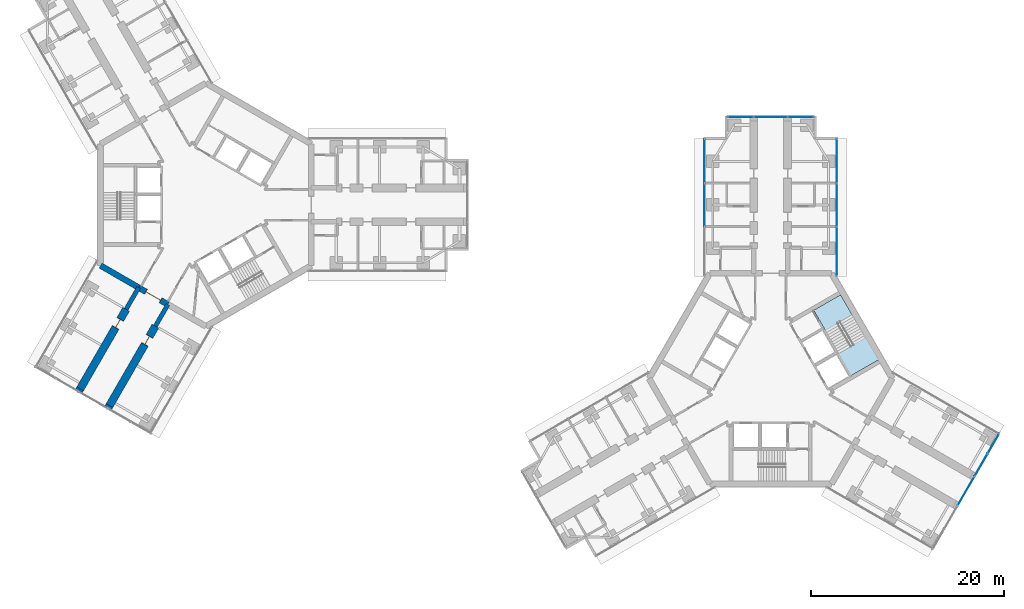
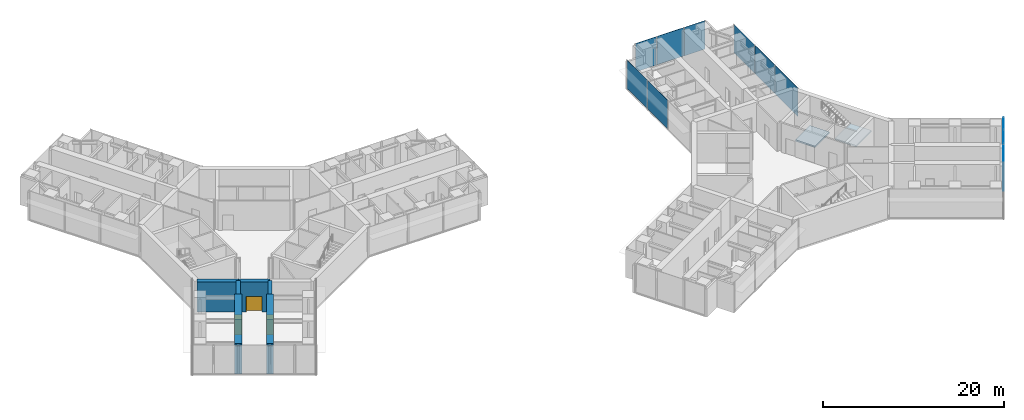
# One storey, part 14 of 22: 11 plates, 8 walls, 3 doors, 2 slabs, 3 openings, 5 elements without a shape of their own.
"""IFC4 building model written with IfcOpenShell, lengths in metres."""

from ifc_helpers import new_model, si_unit, direction, frame, frame_2d, origin, origin_2d, place, context, subcontext, project, spatial, polyline, rectangle, outline, extrude, material, layer, layer_set, type_object, element, fill, aggregate, save


model = new_model("IFC4")

# Units and contexts
model_context = context("Model", 3, precision=1e-05, world=origin(), true_north=direction((0.0, 1.0)))
body_context = subcontext(model_context, "Body", "Model", "MODEL_VIEW")
ifc_project = project(units=[si_unit("LENGTHUNIT", "METRE"), si_unit("AREAUNIT", "SQUARE_METRE"), si_unit("VOLUMEUNIT", "CUBIC_METRE"), si_unit("PLANEANGLEUNIT", "RADIAN"), si_unit("MASSUNIT", "GRAM", prefix="KILO")], contexts=[model_context])

# Site, building, storey
site_placement = place(None, origin())
site = spatial("IfcSite", under=ifc_project, at=site_placement, CompositionType="ELEMENT")
building_placement = place(site_placement, origin())
building = spatial("IfcBuilding", under=site, at=building_placement, Name="Upepo Twin Towers", CompositionType="ELEMENT")
storey_placement = place(building_placement, frame((0.0, 0.0, 121.5)))
storey = spatial("IfcBuildingStorey", under=building, at=storey_placement, Name="L29", CompositionType="ELEMENT", Elevation=121.5)

# Curtain wall, plates
ifc_material_1 = material(Name="Aluminium and fritted glass", Category="aluminium")
curtain_wall_type = type_object("IfcCurtainWallType", Name="Tower curtain wall TW2, fritted glass", PredefinedType="NOTDEFINED", material=ifc_material_1)
curtain_wall_1_placement = place(storey_placement, origin())
curtain_wall_1 = element("IfcCurtainWall", 1, at=curtain_wall_1_placement, inside=storey, type_object=curtain_wall_type, Name="T2 L29 wing A flank L curtain wall", PredefinedType="NOTDEFINED")
ifc_material_2 = material(Name="Ceramic-fritted laminated glass", Category="glass")
ifc_layer_1 = layer(ifc_material_2, 0.031982421875)
ifc_layer_set_1 = layer_set([ifc_layer_1], Name="Fritted glass panel, 40 per cent dot frit, 32 mm double glazed")
plate_type_1 = type_object("IfcPlateType", Name="Fritted glass panel, 40 per cent dot frit, 32 mm double glazed", PredefinedType="CURTAIN_PANEL", material=ifc_layer_set_1)
plate_1_placement = place(storey_placement, frame((51.64990234375, 0.0, 0.14990234375), z_axis=(0.0, 0.0, 1.0), x_axis=(0.0, 1.0, 0.0)))
plate_1 = element("IfcPlate", 2, at=plate_1_placement, type_object=plate_type_1, Name="T2 L29 wing A flank L curtain wall panel 2", PredefinedType="CURTAIN_PANEL", context=body_context, shape_type="SweptSolid", body=[
    extrude(rectangle(XDim=4.43505859375, YDim=0.031982421875, at=origin_2d()), origin(), (0.0, 0.0, 1.0), 3.85009765625),
])
plate_2_placement = place(storey_placement, frame((51.64990234375, 4.53369140625, 0.14990234375), z_axis=(0.0, 0.0, 1.0), x_axis=(0.0, 1.0, 0.0)))
plate_2 = element("IfcPlate", 3, at=plate_2_placement, type_object=plate_type_1, Name="T2 L29 wing A flank L curtain wall panel 3", PredefinedType="CURTAIN_PANEL", context=body_context, shape_type="SweptSolid", body=[
    extrude(rectangle(XDim=4.50244140625, YDim=0.031982421875, at=origin_2d()), origin(), (0.0, 0.0, 1.0), 3.85009765625),
])
aggregate(curtain_wall_1, [plate_1, plate_2])

curtain_wall_2_placement = place(storey_placement, origin())
curtain_wall_2 = element("IfcCurtainWall", 4, at=curtain_wall_2_placement, inside=storey, type_object=curtain_wall_type, Name="T2 L29 wing A flank R curtain wall", PredefinedType="NOTDEFINED")
plate_3_placement = place(storey_placement, frame((65.35009765625, 4.53369140625, 0.14990234375), z_axis=(0.0, 0.0, 1.0), x_axis=(0.0, -1.0, 0.0)))
plate_3 = element("IfcPlate", 5, at=plate_3_placement, type_object=plate_type_1, Name="T2 L29 wing A flank R curtain wall panel 1", PredefinedType="CURTAIN_PANEL", context=body_context, shape_type="SweptSolid", body=[
    extrude(rectangle(XDim=4.50244140625, YDim=0.031982421875, at=origin_2d()), origin(), (0.0, 0.0, 1.0), 3.85009765625),
])
plate_4_placement = place(storey_placement, frame((65.35009765625, 0.0, 0.14990234375), z_axis=(0.0, 0.0, 1.0), x_axis=(0.0, -1.0, 0.0)))
plate_4 = element("IfcPlate", 6, at=plate_4_placement, type_object=plate_type_1, Name="T2 L29 wing A flank R curtain wall panel 2", PredefinedType="CURTAIN_PANEL", context=body_context, shape_type="SweptSolid", body=[
    extrude(rectangle(XDim=4.43505859375, YDim=0.031982421875, at=origin_2d()), origin(), (0.0, 0.0, 1.0), 3.85009765625),
])
plate_5_placement = place(storey_placement, frame((65.35009765625, -4.815185546875, 0.14990234375), z_axis=(0.0, 0.0, 1.0), x_axis=(0.0, -1.0, 0.0)))
plate_5 = element("IfcPlate", 7, at=plate_5_placement, type_object=plate_type_1, Name="T2 L29 wing A flank R curtain wall panel 3", PredefinedType="CURTAIN_PANEL", context=body_context, shape_type="SweptSolid", body=[
    extrude(rectangle(XDim=5.0654296875, YDim=0.031982421875, at=origin_2d()), origin(), (0.0, 0.0, 1.0), 3.85009765625),
])
aggregate(curtain_wall_2, [plate_3, plate_4, plate_5])

# Curtain wall, plate
curtain_wall_3_placement = place(storey_placement, origin())
curtain_wall_3 = element("IfcCurtainWall", 8, at=curtain_wall_3_placement, inside=storey, type_object=curtain_wall_type, Name="T2 L29 wing A nose curtain wall", PredefinedType="NOTDEFINED")
plate_6_placement = place(storey_placement, frame((58.5, 9.10009765625, 0.14990234375), z_axis=(0.0, 0.0, 1.0), x_axis=(-1.0, 0.0, 0.0)))
plate_6 = element("IfcPlate", 9, at=plate_6_placement, type_object=plate_type_1, Name="T2 L29 wing A nose curtain wall panel 2", PredefinedType="CURTAIN_PANEL", context=body_context, shape_type="SweptSolid", body=[
    extrude(rectangle(XDim=3.43505859375, YDim=0.031982421875, at=origin_2d()), origin(), (0.0, 0.0, 1.0), 3.85009765625),
])

# Curtain wall, plates
curtain_wall_4_placement = place(storey_placement, origin())
curtain_wall_4 = element("IfcCurtainWall", 10, at=curtain_wall_4_placement, inside=storey, type_object=curtain_wall_type, Name="T2 L29 wing C nose curtain wall", PredefinedType="NOTDEFINED")
plate_7_placement = place(storey_placement, frame((78.7216796875, -29.675048828125, 0.14990234375), z_axis=(0.0, 0.0, 1.0), x_axis=(0.499999972355, 0.866025419745, 0.0)))
plate_7 = element("IfcPlate", 11, at=plate_7_placement, type_object=plate_type_1, Name="T2 L29 wing C nose curtain wall panel 3", PredefinedType="CURTAIN_PANEL", context=body_context, shape_type="SweptSolid", body=[
    extrude(rectangle(XDim=3.43505859375, YDim=0.031982421875, at=origin_2d()), origin(), (0.0, 0.0, 1.0), 3.85009765625),
])
plate_8_placement = place(storey_placement, frame((80.2841796875, -26.96875, 0.14990234375), z_axis=(0.0, 0.0, 1.0), x_axis=(0.499999972355, 0.866025419745, 0.0)))
plate_8 = element("IfcPlate", 12, at=plate_8_placement, type_object=plate_type_1, Name="T2 L29 wing C nose curtain wall panel 4", PredefinedType="CURTAIN_PANEL", context=body_context, shape_type="SweptSolid", body=[
    extrude(rectangle(XDim=2.68505859375, YDim=0.031982421875, at=origin_2d()), origin(), (0.0, 0.0, 1.0), 3.85009765625),
])

# Plate
ifc_material_3 = material(Name="Clear laminated glass in opening sash", Category="glass")
ifc_layer_2 = layer(ifc_material_3, 0.031982421875)
ifc_layer_set_2 = layer_set([ifc_layer_2], Name="Operable glass panel, 32 mm double glazed")
plate_type_2 = type_object("IfcPlateType", Name="Operable glass panel, 32 mm double glazed", PredefinedType="CURTAIN_PANEL", material=ifc_layer_set_2)
plate_9_placement = place(storey_placement, frame((61.608642578125, 9.10009765625, 0.14990234375), z_axis=(0.0, 0.0, 1.0), x_axis=(-1.0, 0.0, 0.0)))
plate_9 = element("IfcPlate", 13, at=plate_9_placement, type_object=plate_type_2, Name="T2 L29 wing A nose curtain wall panel 1", PredefinedType="CURTAIN_PANEL", context=body_context, shape_type="SweptSolid", body=[
    extrude(rectangle(XDim=2.652587890625, YDim=0.031982421875, at=origin_2d()), origin(), (0.0, 0.0, 1.0), 3.85009765625),
])

plate_10_placement = place(storey_placement, frame((55.391357421875, 9.10009765625, 0.14990234375), z_axis=(0.0, 0.0, 1.0), x_axis=(-1.0, 0.0, 0.0)))
plate_10 = element("IfcPlate", 14, at=plate_10_placement, type_object=plate_type_2, Name="T2 L29 wing A nose curtain wall panel 3", PredefinedType="CURTAIN_PANEL", context=body_context, shape_type="SweptSolid", body=[
    extrude(rectangle(XDim=2.652587890625, YDim=0.031982421875, at=origin_2d()), origin(), (0.0, 0.0, 1.0), 3.85009765625),
])

aggregate(curtain_wall_3, [plate_9, plate_6, plate_10])

plate_11_placement = place(storey_placement, frame((81.576171875, -24.73095703125, 0.14990234375), z_axis=(0.0, 0.0, 1.0), x_axis=(0.499999972355, 0.866025419745, 0.0)))
plate_11 = element("IfcPlate", 15, at=plate_11_placement, type_object=plate_type_2, Name="T2 L29 wing C nose curtain wall panel 5", PredefinedType="CURTAIN_PANEL", context=body_context, shape_type="SweptSolid", body=[
    extrude(rectangle(XDim=2.3525390625, YDim=0.031982421875, at=origin_2d()), origin(), (0.0, 0.0, 1.0), 3.85009765625),
])

aggregate(curtain_wall_4, [plate_7, plate_8, plate_11])

# Stair, slabs
ifc_material_4 = material(Name="Concrete C40/50", Category="concrete")
stair_type = type_object("IfcStairType", Name="Core stair, two flights", PredefinedType="HALF_TURN_STAIR", material=ifc_material_4)
stair_placement = place(storey_placement, origin())
stair = element("IfcStair", 16, at=stair_placement, inside=storey, type_object=stair_type, Name="T2 stair S2 L29", PredefinedType="HALF_TURN_STAIR")
ifc_material_5 = material(Name="Concrete C40/50", Category="concrete")
ifc_layer_3 = layer(ifc_material_5, 0.199951171875)
ifc_layer_set_3 = layer_set([ifc_layer_3], Name="Concrete C40/50")
slab_type = type_object("IfcSlabType", Name="Stair landing 200 RC", PredefinedType="LANDING", material=ifc_layer_set_3)
slab_1_placement = place(storey_placement, frame((0.0, 0.0, -0.199951171875)))
slab_1 = element("IfcSlab", 17, at=slab_1_placement, type_object=slab_type, Name="Stair S2 landing 1", PredefinedType="LANDING", context=body_context, shape_type="SweptSolid", body=[
    extrude(outline(polyline([(64.198486328125, -13.0703125), (66.97705078125, -11.466064453125), (65.737060546875, -9.318359375), (62.95849609375, -10.922607421875), (64.198486328125, -13.0703125)])), origin(), (0.0, 0.0, 1.0), 0.199951171875),
])
slab_2_placement = place(storey_placement, frame((0.0, 0.0, 1.800048828125)))
slab_2 = element("IfcSlab", 18, at=slab_2_placement, type_object=slab_type, Name="Stair S2 landing 2", PredefinedType="LANDING", context=body_context, shape_type="SweptSolid", body=[
    extrude(outline(polyline([(66.77197265625, -17.7275390625), (69.7236328125, -16.0234375), (68.36376953125, -13.667724609375), (65.411865234375, -15.371826171875), (66.77197265625, -17.7275390625)])), origin(), (0.0, 0.0, 1.0), 0.199951171875),
])
aggregate(stair, [slab_1, slab_2])

# Walls
ifc_material_6 = material(Name="Dense concrete blockwork", Category="masonry")
ifc_layer_4 = layer(ifc_material_6, 0.800048828125)
ifc_layer_set_4 = layer_set([ifc_layer_4], Name="Buttress closer 800, blockwork with fire-stopping to the curtain wall")
wall_type_1 = type_object("IfcWallType", Name="Buttress closer 800, blockwork with fire-stopping to the curtain wall", PredefinedType="PARTITIONING", material=ifc_layer_set_4)
for number, where, z_axis, x_axis, name in (
    (19, (-9.984375, -20.793701171875, 0.0), (0.0, 0.0, 1.0), (-0.500342721131, -0.865827443207, 0.0), "T1 L29 wing C buttress closer L"),
    (20, (-13.015625, -19.043701171875, 0.0), (0.0, 0.0, 1.0), (-0.500342721131, -0.865827443207, 0.0), "T1 L29 wing C buttress closer R"),
):
    element("IfcWall", number, at=place(storey_placement, frame(where, z_axis=z_axis, x_axis=x_axis)), inside=storey, type_object=wall_type_1, Name=name, PredefinedType="PARTITIONING", context=body_context, shape_type="SweptSolid", body=[
        extrude(rectangle(XDim=0.249755859375, YDim=0.800048828125, at=frame_2d((0.125, 0.0))), origin(), (0.0, 0.0, 1.0), 3.800048828125),
    ])
ifc_material_7 = material(Name="Concrete C60/75", Category="concrete")
ifc_layer_5 = layer(ifc_material_7, 0.449951171875)
ifc_layer_set_5 = layer_set([ifc_layer_5], Name="Concrete C60/75")
wall_type_2 = type_object("IfcWallType", Name="Buttress wall 450 RC", PredefinedType="SHEAR", material=ifc_layer_set_5)
for number, where, z_axis, x_axis, name in (
    (21, (-3.938720703125, -10.32177734375, 0.0), (0.0, 0.0, 1.0), (-0.499918158782, -0.866072649678, 0.0), "T1 wing C buttress wall L"),
    (22, (-6.9697265625, -8.57177734375, 0.0), (0.0, 0.0, 1.0), (-0.499988811324, -0.866031863473, 0.0), "T1 wing C buttress wall R"),
):
    element("IfcWall", number, at=place(storey_placement, frame(where, z_axis=z_axis, x_axis=x_axis)), inside=storey, type_object=wall_type_2, Name=name, PredefinedType="SHEAR", context=body_context, shape_type="SweptSolid", body=[
        extrude(rectangle(XDim=2.591796875, YDim=0.449951171875, at=frame_2d((1.2958984375, 0.0))), origin(), (0.0, 0.0, 1.0), 4.0),
    ])

# Wall, opening, door
ifc_material_8 = material(Name="Concrete C60/75", Category="concrete")
ifc_layer_6 = layer(ifc_material_8, 0.800048828125)
ifc_layer_set_6 = layer_set([ifc_layer_6], Name="Concrete C60/75")
wall_type_3 = type_object("IfcWallType", Name="Buttress wall 800 RC", PredefinedType="SHEAR", material=ifc_layer_set_6)
wall_1_placement = place(storey_placement, frame((-5.234375, -12.56640625, 0.0), z_axis=(0.0, 0.0, 1.0), x_axis=(-0.499997557548, -0.86602681393, 0.0)))
wall_1 = element("IfcWall", 23, at=wall_1_placement, inside=storey, type_object=wall_type_3, Name="T1 wing C buttress wall L part 2", PredefinedType="SHEAR", context=body_context, shape_type="SweptSolid", body=[
    extrude(rectangle(XDim=9.5, YDim=0.800048828125, at=frame_2d((4.75, 0.0))), origin(), (0.0, 0.0, 1.0), 4.0),
])
opening_1_placement = place(wall_1_placement, frame((1.199951171875, 0.0, 0.0)))
opening_1 = element("IfcOpeningElement", 24, at=opening_1_placement, cuts=wall_1, Name="Opening D1", PredefinedType="OPENING", context=body_context, shape_type="SweptSolid", body=[
    extrude(rectangle(XDim=1.0, YDim=2.10009765625, at=frame_2d((0.5, 1.050048828125))), frame((0.0, 0.409912109375, 0.0), z_axis=(0.0, -1.0, 0.0), x_axis=(1.0, 0.0, 0.0)), (0.0, 0.0, 1.0), 0.820068359375),
])
ifc_material_9 = material(Name="Timber doorset", Category="wood")
door_type_1 = type_object("IfcDoorType", Name="Room door 1000 FD30", OperationType="SINGLE_SWING_LEFT", PredefinedType="DOOR", material=ifc_material_9)
door_1_placement = place(opening_1_placement, origin())
door_1 = element("IfcDoor", 25, at=door_1_placement, inside=storey, type_object=door_type_1, Name="T1 L29 postgraduate office door", OperationType="SINGLE_SWING_LEFT", OverallHeight=2.10009765625, OverallWidth=1.0, PredefinedType="DOOR", context=body_context, shape_type="SweptSolid", body=[
    extrude(rectangle(XDim=0.92, YDim=2.06009765625, at=frame_2d((0.5, 1.030029296875))), frame((0.0, 0.02490234375, 0.0), z_axis=(0.0, -1.0, 0.0), x_axis=(1.0, 0.0, 0.0)), (0.0, 0.0, 1.0), 0.050048828125),
    extrude(rectangle(XDim=0.04, YDim=2.10009765625, at=frame_2d((0.02001953125, 1.050048828125))), frame((0.0, 0.39990234375, 0.0), z_axis=(0.0, -1.0, 0.0), x_axis=(1.0, 0.0, 0.0)), (0.0, 0.0, 1.0), 0.799560546875),
    extrude(rectangle(XDim=0.04, YDim=2.10009765625, at=frame_2d((0.97998046875, 1.050048828125))), frame((0.0, 0.39990234375, 0.0), z_axis=(0.0, -1.0, 0.0), x_axis=(1.0, 0.0, 0.0)), (0.0, 0.0, 1.0), 0.799560546875),
    extrude(rectangle(XDim=0.92, YDim=0.04, at=frame_2d((0.5, 2.080078125))), frame((0.0, 0.39990234375, 0.0), z_axis=(0.0, -1.0, 0.0), x_axis=(1.0, 0.0, 0.0)), (0.0, 0.0, 1.0), 0.799560546875),
])
fill(opening_1, door_1)

wall_2_placement = place(storey_placement, frame((-8.265625, -10.81640625, 0.0), z_axis=(0.0, 0.0, 1.0), x_axis=(-0.499997557548, -0.86602681393, 0.0)))
wall_2 = element("IfcWall", 26, at=wall_2_placement, inside=storey, type_object=wall_type_3, Name="T1 wing C buttress wall R part 2", PredefinedType="SHEAR", context=body_context, shape_type="SweptSolid", body=[
    extrude(rectangle(XDim=9.5, YDim=0.800048828125, at=frame_2d((4.75, 0.0))), origin(), (0.0, 0.0, 1.0), 4.0),
])
opening_2_placement = place(wall_2_placement, frame((1.199951171875, 0.0, 0.0)))
opening_2 = element("IfcOpeningElement", 27, at=opening_2_placement, cuts=wall_2, Name="Opening D1", PredefinedType="OPENING", context=body_context, shape_type="SweptSolid", body=[
    extrude(rectangle(XDim=1.0, YDim=2.10009765625, at=frame_2d((0.5, 1.050048828125))), frame((0.0, 0.409912109375, 0.0), z_axis=(0.0, -1.0, 0.0), x_axis=(1.0, 0.0, 0.0)), (0.0, 0.0, 1.0), 0.820068359375),
])
door_2_placement = place(opening_2_placement, origin())
door_2 = element("IfcDoor", 28, at=door_2_placement, inside=storey, type_object=door_type_1, Name="T1 L29 postgraduate office door", OperationType="SINGLE_SWING_LEFT", OverallHeight=2.10009765625, OverallWidth=1.0, PredefinedType="DOOR", context=body_context, shape_type="SweptSolid", body=[
    extrude(rectangle(XDim=0.92, YDim=2.06009765625, at=frame_2d((0.5, 1.030029296875))), frame((0.0, 0.02490234375, 0.0), z_axis=(0.0, -1.0, 0.0), x_axis=(1.0, 0.0, 0.0)), (0.0, 0.0, 1.0), 0.050048828125),
    extrude(rectangle(XDim=0.04, YDim=2.10009765625, at=frame_2d((0.02001953125, 1.050048828125))), frame((0.0, 0.39990234375, 0.0), z_axis=(0.0, -1.0, 0.0), x_axis=(1.0, 0.0, 0.0)), (0.0, 0.0, 1.0), 0.799560546875),
    extrude(rectangle(XDim=0.04, YDim=2.10009765625, at=frame_2d((0.97998046875, 1.050048828125))), frame((0.0, 0.39990234375, 0.0), z_axis=(0.0, -1.0, 0.0), x_axis=(1.0, 0.0, 0.0)), (0.0, 0.0, 1.0), 0.799560546875),
    extrude(rectangle(XDim=0.92, YDim=0.04, at=frame_2d((0.5, 2.080078125))), frame((0.0, 0.39990234375, 0.0), z_axis=(0.0, -1.0, 0.0), x_axis=(1.0, 0.0, 0.0)), (0.0, 0.0, 1.0), 0.799560546875),
])
fill(opening_2, door_2)

# Wall
ifc_material_10 = material(Name="Concrete C60/75", Category="concrete")
ifc_layer_7 = layer(ifc_material_10, 0.60009765625)
ifc_layer_set_7 = layer_set([ifc_layer_7], Name="Concrete C60/75")
wall_type_4 = type_object("IfcWallType", Name="Core wall 600 RC", PredefinedType="SHEAR", material=ifc_layer_set_7)
wall_3_placement = place(storey_placement, frame((-10.908447265625, -6.2978515625, 0.0), z_axis=(0.0, 0.0, 1.0), x_axis=(0.866034513004, -0.499984222037, 0.0)))
element("IfcWall", 29, at=wall_3_placement, inside=storey, type_object=wall_type_4, Name="T1 core wall 240 R", PredefinedType="SHEAR", context=body_context, shape_type="SweptSolid", body=[
    extrude(rectangle(XDim=4.548095703125, YDim=0.60009765625, at=frame_2d((2.27392578125, 0.0))), origin(), (0.0, 0.0, 1.0), 4.0),
])

# Wall, opening, door
wall_4_placement = place(storey_placement, frame((-6.9697265625, -8.57177734375, 0.0), z_axis=(0.0, 0.0, 1.0), x_axis=(0.866019471182, -0.500010275428, 0.0)))
wall_4 = element("IfcWall", 30, at=wall_4_placement, inside=storey, type_object=wall_type_4, Name="T1 core wall 240", PredefinedType="SHEAR", context=body_context, shape_type="SweptSolid", body=[
    extrude(rectangle(XDim=3.5, YDim=0.60009765625, at=frame_2d((1.75, 0.0))), origin(), (0.0, 0.0, 1.0), 4.0),
])
opening_3_placement = place(wall_4_placement, frame((0.85009765625, 0.0, 0.0)))
opening_3 = element("IfcOpeningElement", 31, at=opening_3_placement, cuts=wall_4, Name="Opening D2", PredefinedType="OPENING", context=body_context, shape_type="SweptSolid", body=[
    extrude(rectangle(XDim=1.800048828125, YDim=2.10009765625, at=frame_2d((0.89990234375, 1.050048828125))), frame((0.0, 0.31005859375, 0.0), z_axis=(0.0, -1.0, 0.0), x_axis=(1.0, 0.0, 0.0)), (0.0, 0.0, 1.0), 0.6201171875),
])
ifc_material_11 = material(Name="Timber doorset", Category="wood")
door_type_2 = type_object("IfcDoorType", Name="Corridor double door 1800 FD60", OperationType="DOUBLE_DOOR_DOUBLE_SWING", PredefinedType="DOOR", material=ifc_material_11)
door_3_placement = place(opening_3_placement, origin())
door_3 = element("IfcDoor", 32, at=door_3_placement, inside=storey, type_object=door_type_2, Name="T1 L29 wing C corridor door", OperationType="DOUBLE_DOOR_DOUBLE_SWING", OverallHeight=2.10009765625, OverallWidth=1.800048828125, PredefinedType="DOOR", context=body_context, shape_type="SweptSolid", body=[
    extrude(rectangle(XDim=1.720048828125, YDim=2.06009765625, at=frame_2d((0.89990234375, 1.030029296875))), frame((0.0, 0.02490234375, 0.0), z_axis=(0.0, -1.0, 0.0), x_axis=(1.0, 0.0, 0.0)), (0.0, 0.0, 1.0), 0.050048828125),
    extrude(rectangle(XDim=0.04, YDim=2.10009765625, at=frame_2d((0.02001953125, 1.050048828125))), frame((0.0, 0.2998046875, 0.0), z_axis=(0.0, -1.0, 0.0), x_axis=(1.0, 0.0, 0.0)), (0.0, 0.0, 1.0), 0.599609375),
    extrude(rectangle(XDim=0.04, YDim=2.10009765625, at=frame_2d((1.780029296875, 1.050048828125))), frame((0.0, 0.2998046875, 0.0), z_axis=(0.0, -1.0, 0.0), x_axis=(1.0, 0.0, 0.0)), (0.0, 0.0, 1.0), 0.599609375),
    extrude(rectangle(XDim=1.720048828125, YDim=0.04, at=frame_2d((0.89990234375, 2.080078125))), frame((0.0, 0.2998046875, 0.0), z_axis=(0.0, -1.0, 0.0), x_axis=(1.0, 0.0, 0.0)), (0.0, 0.0, 1.0), 0.599609375),
])
fill(opening_3, door_3)

save(model, "model.ifc")
